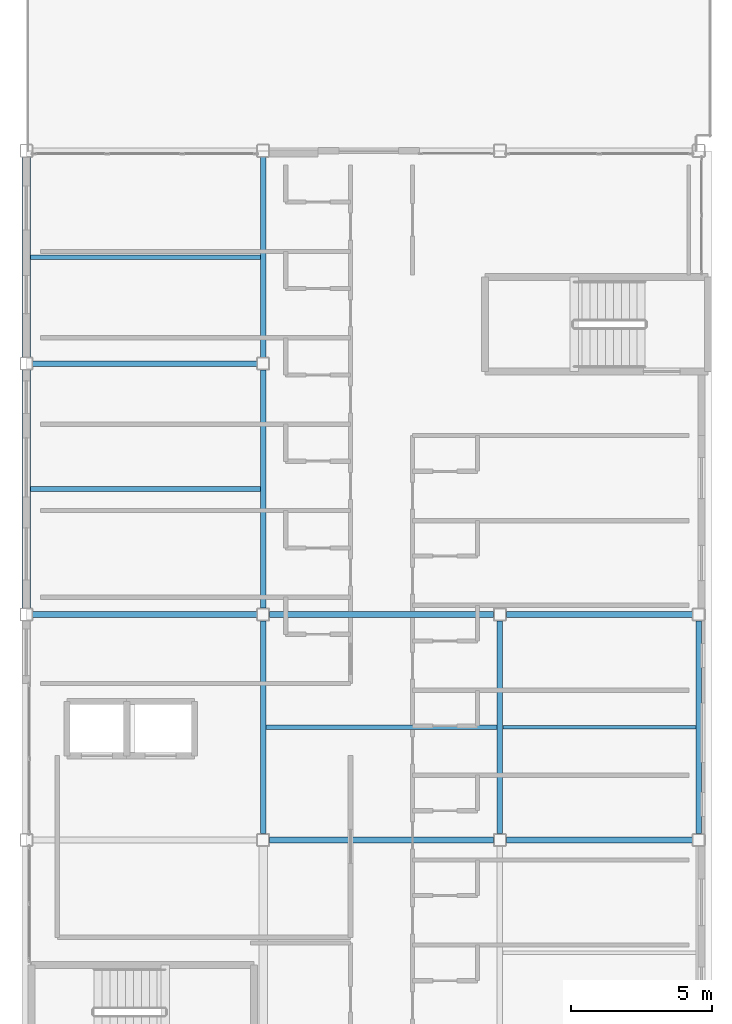
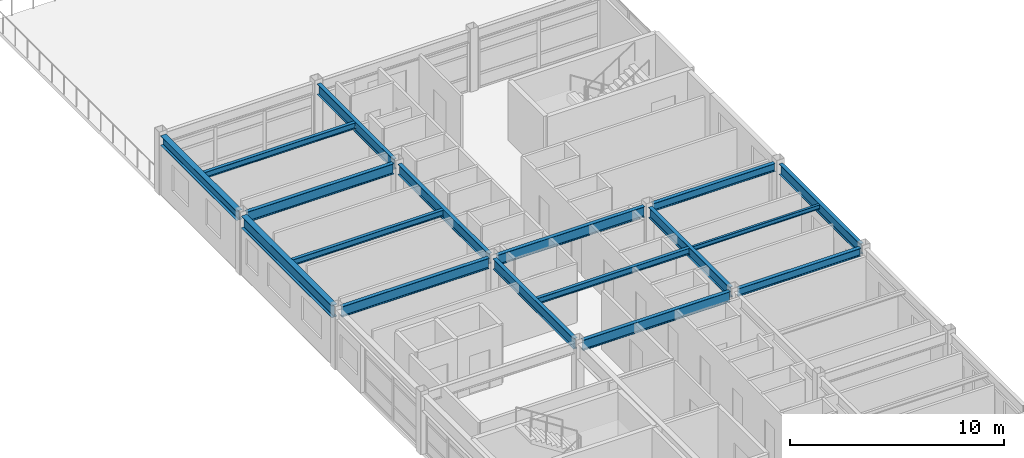
# One storey, part 14 of 28: 17 beams.
"""IFC4 building model written with IfcOpenShell, lengths in metres."""

from ifc_helpers import new_model, si_unit, direction, frame, origin, origin_2d, place, context, subcontext, project, spatial, i_section, extrude, material, material_profile, profile_set, type_object, element, save


model = new_model("IFC4")

# Units and contexts
model_context = context("Model", 3, precision=1e-05, world=origin(), true_north=direction((0.0, 1.0)))
body_context = subcontext(model_context, "Body", "Model", "MODEL_VIEW")
ifc_project = project(units=[si_unit("LENGTHUNIT", "METRE"), si_unit("AREAUNIT", "SQUARE_METRE"), si_unit("VOLUMEUNIT", "CUBIC_METRE"), si_unit("PLANEANGLEUNIT", "RADIAN"), si_unit("MASSUNIT", "GRAM", prefix="KILO")], contexts=[model_context])

# Site, building, storey
site_placement = place(None, origin())
site = spatial("IfcSite", under=ifc_project, at=site_placement, CompositionType="ELEMENT")
building_placement = place(site_placement, origin())
building = spatial("IfcBuilding", under=site, at=building_placement, Name="Kazehara Bluff Congress Hotel", CompositionType="ELEMENT")
storey_placement = place(building_placement, frame((0.0, 0.0, 42.60009765625)))
storey = spatial("IfcBuildingStorey", under=building, at=storey_placement, Name="L10", CompositionType="ELEMENT", Elevation=42.60009765625)

# Beams
ifc_material_1 = material(Name="Steel SN490B", Category="steel")
ifc_material_profile_1 = material_profile(ifc_material_1, i_section(OverallWidth=0.199951171875, OverallDepth=0.60009765625, WebThickness=0.010986328125, FlangeThickness=0.01708984375, FilletRadius=0.012939453125, at=origin_2d()))
ifc_profile_set_1 = profile_set([ifc_material_profile_1], Name="Steel SN490B")
beam_type_1 = type_object("IfcBeamType", Name="TP-G-02", PredefinedType="BEAM", material=ifc_profile_set_1)
beam_1_placement = place(storey_placement, frame((152.10009765625, 56.675048828125, 3.079833984375), z_axis=(0.0, 1.0, 0.0), x_axis=(-1.0, 0.0, 0.0)))
element("IfcBeam", 1, at=beam_1_placement, inside=storey, type_object=beam_type_1, Name="L10 girder G-02 12", PredefinedType="BEAM", context=body_context, shape_type="SweptSolid", body=[
    extrude(i_section(OverallWidth=0.199951171875, OverallDepth=0.60009765625, WebThickness=0.010986328125, FlangeThickness=0.01708984375, FilletRadius=0.012939453125, at=origin_2d()), origin(), (0.0, 0.0, 1.0), 7.550048828125),
])
beam_2_placement = place(storey_placement, frame((152.10009765625, 64.675048828125, 3.079833984375), z_axis=(0.0, 1.0, 0.0), x_axis=(-1.0, 0.0, 0.0)))
element("IfcBeam", 2, at=beam_2_placement, inside=storey, type_object=beam_type_1, Name="L10 girder G-02 13", PredefinedType="BEAM", context=body_context, shape_type="SweptSolid", body=[
    extrude(i_section(OverallWidth=0.199951171875, OverallDepth=0.60009765625, WebThickness=0.010986328125, FlangeThickness=0.01708984375, FilletRadius=0.012939453125, at=origin_2d()), origin(), (0.0, 0.0, 1.0), 8.449951171875),
])
beam_3_placement = place(storey_placement, frame((152.10009765625, 73.574951171875, 3.079833984375), z_axis=(0.0, 1.0, 0.0), x_axis=(-1.0, 0.0, 0.0)))
element("IfcBeam", 3, at=beam_3_placement, inside=storey, type_object=beam_type_1, Name="L10 girder G-02 14", PredefinedType="BEAM", context=body_context, shape_type="SweptSolid", body=[
    extrude(i_section(OverallWidth=0.199951171875, OverallDepth=0.60009765625, WebThickness=0.010986328125, FlangeThickness=0.01708984375, FilletRadius=0.012939453125, at=origin_2d()), origin(), (0.0, 0.0, 1.0), 7.10009765625),
])
for number, where, z_axis, x_axis, name in (
    (4, (160.5, 56.675048828125, 3.079833984375), (0.0, 1.0, 0.0), (-1.0, 0.0, 0.0), "L10 girder G-02 19"),
    (5, (167.550048828125, 56.675048828125, 3.079833984375), (0.0, 1.0, 0.0), (-1.0, 0.0, 0.0), "L10 girder G-02 24"),
):
    element("IfcBeam", number, at=place(storey_placement, frame(where, z_axis=z_axis, x_axis=x_axis)), inside=storey, type_object=beam_type_1, Name=name, PredefinedType="BEAM", context=body_context, shape_type="SweptSolid", body=[
        extrude(i_section(OverallWidth=0.199951171875, OverallDepth=0.60009765625, WebThickness=0.010986328125, FlangeThickness=0.01708984375, FilletRadius=0.012939453125, at=origin_2d()), origin(), (0.0, 0.0, 1.0), 7.550048828125),
    ])
for number, where, z_axis, x_axis, name in (
    (6, (152.324951171875, 56.449951171875, 3.079833984375), (1.0, 0.0, 0.0), (0.0, 1.0, 0.0), "L10 girder G-02 39"),
    (7, (143.925048828125, 64.449951171875, 3.079833984375), (1.0, 0.0, 0.0), (0.0, 1.0, 0.0), "L10 girder G-02 41"),
    (8, (152.324951171875, 64.449951171875, 3.079833984375), (1.0, 0.0, 0.0), (0.0, 1.0, 0.0), "L10 girder G-02 42"),
    (9, (143.925048828125, 73.35009765625, 3.079833984375), (1.0, 0.0, 0.0), (0.0, 1.0, 0.0), "L10 girder G-02 44"),
):
    element("IfcBeam", number, at=place(storey_placement, frame(where, z_axis=z_axis, x_axis=x_axis)), inside=storey, type_object=beam_type_1, Name=name, PredefinedType="BEAM", context=body_context, shape_type="SweptSolid", body=[
        extrude(i_section(OverallWidth=0.199951171875, OverallDepth=0.60009765625, WebThickness=0.010986328125, FlangeThickness=0.01708984375, FilletRadius=0.012939453125, at=origin_2d()), origin(), (0.0, 0.0, 1.0), 7.949951171875),
    ])
ifc_material_2 = material(Name="Steel SN490B", Category="steel")
ifc_material_profile_2 = material_profile(ifc_material_2, i_section(OverallWidth=0.199951171875, OverallDepth=0.449951171875, WebThickness=0.009033203125, FlangeThickness=0.013916015625, FilletRadius=0.012939453125, at=origin_2d()))
ifc_profile_set_2 = profile_set([ifc_material_profile_2], Name="Steel SN490B")
beam_type_2 = type_object("IfcBeamType", Name="TP-G-11", PredefinedType="BEAM", material=ifc_profile_set_2)
for number, where, z_axis, x_axis, name in (
    (10, (160.72509765625, 56.449951171875, 3.15478515625), (1.0, 0.0, 0.0), (0.0, 1.0, 0.0), "L10 girder G-11 40"),
    (11, (160.72509765625, 64.449951171875, 3.15478515625), (1.0, 0.0, 0.0), (0.0, 1.0, 0.0), "L10 girder G-11 43"),
):
    element("IfcBeam", number, at=place(storey_placement, frame(where, z_axis=z_axis, x_axis=x_axis)), inside=storey, type_object=beam_type_2, Name=name, PredefinedType="BEAM", context=body_context, shape_type="SweptSolid", body=[
        extrude(i_section(OverallWidth=0.199951171875, OverallDepth=0.449951171875, WebThickness=0.009033203125, FlangeThickness=0.013916015625, FilletRadius=0.012939453125, at=origin_2d()), origin(), (0.0, 0.0, 1.0), 6.599853515625),
    ])
ifc_material_3 = material(Name="Steel SN400B", Category="steel")
ifc_material_profile_3 = material_profile(ifc_material_3, i_section(OverallWidth=0.175048828125, OverallDepth=0.35009765625, WebThickness=0.007080078125, FlangeThickness=0.010986328125, FilletRadius=0.012939453125, at=origin_2d()))
ifc_profile_set_3 = profile_set([ifc_material_profile_3], Name="Steel SN400B")
beam_type_3 = type_object("IfcBeamType", Name="TP-J-02", PredefinedType="JOIST", material=ifc_profile_set_3)
for number, where, z_axis, x_axis, name in (
    (12, (143.85009765625, 68.89990234375, 3.204833984375), (1.0, 0.0, 0.0), (0.0, 1.0, 0.0), "L10 secondary joist J-02 3"),
    (13, (143.85009765625, 77.125, 3.204833984375), (1.0, 0.0, 0.0), (0.0, 1.0, 0.0), "L10 secondary joist J-02 4"),
):
    element("IfcBeam", number, at=place(storey_placement, frame(where, z_axis=z_axis, x_axis=x_axis)), inside=storey, type_object=beam_type_3, Name=name, PredefinedType="JOIST", context=body_context, shape_type="SweptSolid", body=[
        extrude(i_section(OverallWidth=0.175048828125, OverallDepth=0.35009765625, WebThickness=0.007080078125, FlangeThickness=0.010986328125, FilletRadius=0.012939453125, at=origin_2d()), origin(), (0.0, 0.0, 1.0), 8.14990234375),
    ])
beam_4_placement = place(storey_placement, frame((152.199951171875, 60.449951171875, 3.204833984375), z_axis=(1.0, 0.0, 0.0), x_axis=(0.0, 1.0, 0.0)))
element("IfcBeam", 14, at=beam_4_placement, inside=storey, type_object=beam_type_3, Name="L10 secondary joist J-02 7", PredefinedType="JOIST", context=body_context, shape_type="SweptSolid", body=[
    extrude(i_section(OverallWidth=0.175048828125, OverallDepth=0.35009765625, WebThickness=0.007080078125, FlangeThickness=0.010986328125, FilletRadius=0.012939453125, at=origin_2d()), origin(), (0.0, 0.0, 1.0), 8.199951171875),
])
ifc_material_4 = material(Name="Steel SN400B", Category="steel")
ifc_material_profile_4 = material_profile(ifc_material_4, i_section(OverallWidth=0.125, OverallDepth=0.25, WebThickness=0.006103515625, FlangeThickness=0.009033203125, FilletRadius=0.008056640625, at=origin_2d()))
ifc_profile_set_4 = profile_set([ifc_material_profile_4], Name="Steel SN400B")
beam_type_4 = type_object("IfcBeamType", Name="TP-J-05", PredefinedType="JOIST", material=ifc_profile_set_4)
beam_5_placement = place(storey_placement, frame((160.60009765625, 60.449951171875, 3.2548828125), z_axis=(1.0, 0.0, 0.0), x_axis=(0.0, 1.0, 0.0)))
element("IfcBeam", 15, at=beam_5_placement, inside=storey, type_object=beam_type_4, Name="L10 secondary joist J-05 12", PredefinedType="JOIST", context=body_context, shape_type="SweptSolid", body=[
    extrude(i_section(OverallWidth=0.125, OverallDepth=0.25, WebThickness=0.006103515625, FlangeThickness=0.009033203125, FilletRadius=0.008056640625, at=origin_2d()), origin(), (0.0, 0.0, 1.0), 6.849853515625),
])
ifc_material_5 = material(Name="Steel SN490B", Category="steel")
ifc_material_profile_5 = material_profile(ifc_material_5, i_section(OverallWidth=0.300048828125, OverallDepth=0.550048828125, WebThickness=0.010986328125, FlangeThickness=0.01806640625, FilletRadius=0.012939453125, at=origin_2d()))
ifc_profile_set_5 = profile_set([ifc_material_profile_5], Name="Steel SN490B")
beam_type_5 = type_object("IfcBeamType", Name="TP-SP-01", PredefinedType="SPANDREL", material=ifc_profile_set_5)
beam_6_placement = place(storey_placement, frame((143.699951171875, 73.574951171875, 3.10498046875), z_axis=(0.0, 1.0, 0.0), x_axis=(-1.0, 0.0, 0.0)))
element("IfcBeam", 16, at=beam_6_placement, inside=storey, type_object=beam_type_5, Name="L10 girder SP-01 7", PredefinedType="SPANDREL", context=body_context, shape_type="SweptSolid", body=[
    extrude(i_section(OverallWidth=0.300048828125, OverallDepth=0.550048828125, WebThickness=0.010986328125, FlangeThickness=0.01806640625, FilletRadius=0.012939453125, at=origin_2d()), origin(), (0.0, 0.0, 1.0), 7.10009765625),
])
ifc_material_6 = material(Name="Steel SN490B", Category="steel")
ifc_material_profile_6 = material_profile(ifc_material_6, i_section(OverallWidth=0.300048828125, OverallDepth=0.699951171875, WebThickness=0.012939453125, FlangeThickness=0.02392578125, FilletRadius=0.01806640625, at=origin_2d()))
ifc_profile_set_6 = profile_set([ifc_material_profile_6], Name="Steel SN490B")
beam_type_6 = type_object("IfcBeamType", Name="TP-SP-03", PredefinedType="SPANDREL", material=ifc_profile_set_6)
beam_7_placement = place(storey_placement, frame((143.699951171875, 64.675048828125, 3.02978515625), z_axis=(0.0, 1.0, 0.0), x_axis=(-1.0, 0.0, 0.0)))
element("IfcBeam", 17, at=beam_7_placement, inside=storey, type_object=beam_type_6, Name="L10 girder SP-03 6", PredefinedType="SPANDREL", context=body_context, shape_type="SweptSolid", body=[
    extrude(i_section(OverallWidth=0.300048828125, OverallDepth=0.699951171875, WebThickness=0.012939453125, FlangeThickness=0.02392578125, FilletRadius=0.01806640625, at=origin_2d()), origin(), (0.0, 0.0, 1.0), 8.449951171875),
])

save(model, "model.ifc")
